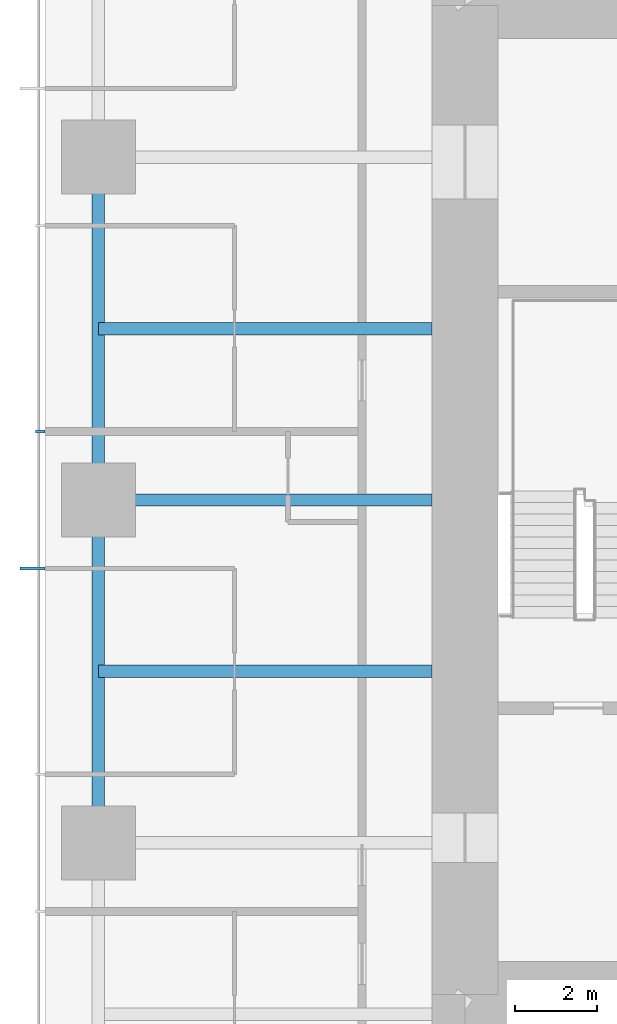
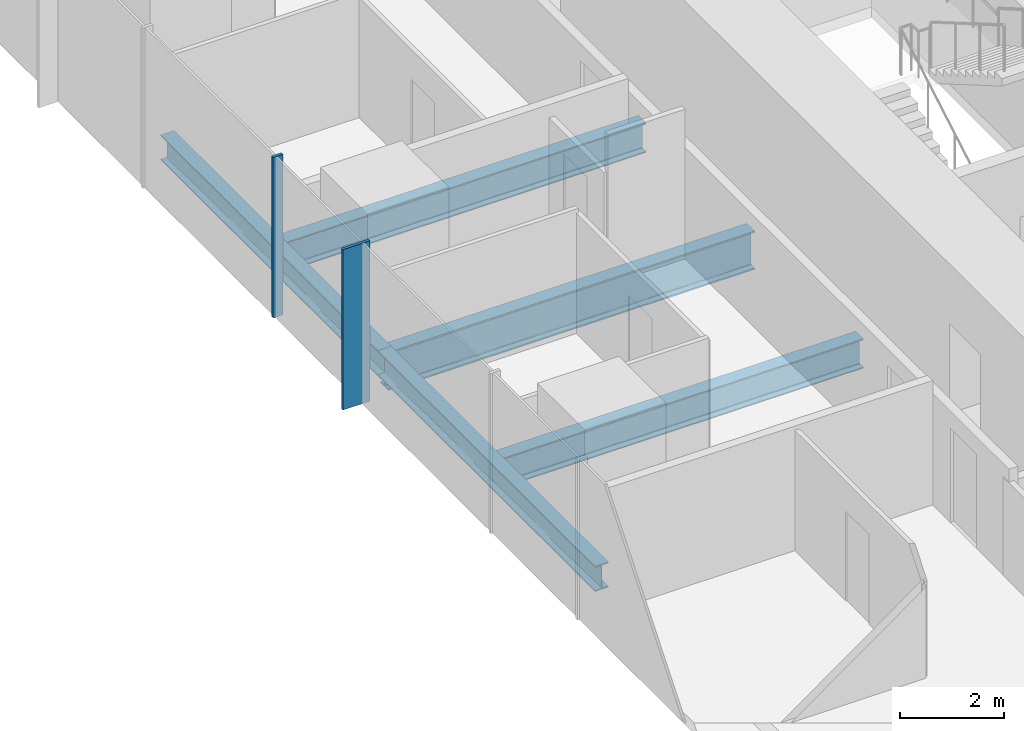
# One storey, part 3 of 13: 5 beams, 2 members, 1 element without a shape of its own.
"""IFC4 building model written with IfcOpenShell, lengths in metres."""

from ifc_helpers import new_model, si_unit, direction, frame, origin, origin_2d, place, context, subcontext, project, spatial, rectangle, i_section, extrude, material, material_profile, profile_set, type_object, element, aggregate, save


model = new_model("IFC4")

# Units and contexts
model_context = context("Model", 3, precision=1e-05, world=origin(), true_north=direction((0.0, 1.0)))
body_context = subcontext(model_context, "Body", "Model", "MODEL_VIEW")
ifc_project = project(units=[si_unit("LENGTHUNIT", "METRE"), si_unit("AREAUNIT", "SQUARE_METRE"), si_unit("VOLUMEUNIT", "CUBIC_METRE"), si_unit("PLANEANGLEUNIT", "RADIAN"), si_unit("MASSUNIT", "GRAM", prefix="KILO")], contexts=[model_context])

# Site, building, storey
site_placement = place(None, origin())
site = spatial("IfcSite", under=ifc_project, at=site_placement, CompositionType="ELEMENT")
building_placement = place(site_placement, origin())
building = spatial("IfcBuilding", under=site, at=building_placement, Name="Khuree Lantern Residences", CompositionType="ELEMENT")
storey_placement = place(building_placement, frame((0.0, 0.0, 248.25)))
storey = spatial("IfcBuildingStorey", under=building, at=storey_placement, Name="L62", CompositionType="ELEMENT", Elevation=248.25)

# Beams
ifc_material_1 = material(Name="Steel S355", Category="steel")
ifc_material_profile_1 = material_profile(ifc_material_1, i_section(OverallWidth=0.300048828125, OverallDepth=0.68994140625, WebThickness=0.014404296875, FlangeThickness=0.027099609375, FilletRadius=0.027099609375, at=origin_2d()), Name="HE 700 A")
ifc_profile_set_1 = profile_set([ifc_material_profile_1], Name="Steel S355")
beam_type_1 = type_object("IfcBeamType", Name="B-34 SECONDARY BEAM HE 700 A", PredefinedType="BEAM", material=ifc_profile_set_1)
for number, where, z_axis, x_axis, name in (
    (1, (-24.39990234375, -4.159912109375, -0.594970703125), (1.0, 0.0, 0.0), (0.0, 1.0, 0.0), "Secondary beam W3"),
    (2, (-24.39990234375, 4.159912109375, -0.594970703125), (1.0, 0.0, 0.0), (0.0, 1.0, 0.0), "Secondary beam W4"),
):
    element("IfcBeam", number, at=place(storey_placement, frame(where, z_axis=z_axis, x_axis=x_axis)), inside=storey, type_object=beam_type_1, Name=name, PredefinedType="BEAM", context=body_context, shape_type="SweptSolid", body=[
        extrude(i_section(OverallWidth=0.300048828125, OverallDepth=0.68994140625, WebThickness=0.014404296875, FlangeThickness=0.027099609375, FilletRadius=0.027099609375, at=origin_2d()), origin(), (0.0, 0.0, 1.0), 8.099853515625),
    ])
ifc_material_profile_2 = material_profile(ifc_material_1, i_section(OverallWidth=0.300048828125, OverallDepth=0.590087890625, WebThickness=0.012939453125, FlangeThickness=0.02490234375, FilletRadius=0.027099609375, at=origin_2d()), Name="HE 600 A")
ifc_profile_set_2 = profile_set([ifc_material_profile_2], Name="Steel S355")
beam_type_2 = type_object("IfcBeamType", Name="E-34 SPANDREL BEAM HE 600 A", PredefinedType="SPANDREL", material=ifc_profile_set_2)
for number, where, z_axis, x_axis, name in (
    (3, (-24.39990234375, -8.320068359375, -0.544921875), (0.0, 1.0, 0.0), (-1.0, 0.0, 0.0), "Spandrel beam W3"),
    (4, (-24.39990234375, 0.0, -0.544921875), (0.0, 1.0, 0.0), (-1.0, 0.0, 0.0), "Spandrel beam W4"),
):
    element("IfcBeam", number, at=place(storey_placement, frame(where, z_axis=z_axis, x_axis=x_axis)), inside=storey, type_object=beam_type_2, Name=name, PredefinedType="SPANDREL", context=body_context, shape_type="SweptSolid", body=[
        extrude(i_section(OverallWidth=0.300048828125, OverallDepth=0.590087890625, WebThickness=0.012939453125, FlangeThickness=0.02490234375, FilletRadius=0.027099609375, at=origin_2d()), origin(), (0.0, 0.0, 1.0), 8.320068359375),
    ])

# Curtain wall, member
ifc_material_2 = material(Name="Bronze anodised aluminium", Category="aluminium")
curtain_wall_type = type_object("IfcCurtainWallType", Name="CW-T1 TOWER FACE CURTAIN WALL", PredefinedType="USERDEFINED", material=ifc_material_2)
curtain_wall_placement = place(storey_placement, origin())
curtain_wall = element("IfcCurtainWall", 5, at=curtain_wall_placement, inside=storey, type_object=curtain_wall_type, Name="L62 WEST FACE CURTAIN WALL", ObjectType="Stick-built curtain wall", PredefinedType="USERDEFINED")
ifc_material_profile_3 = material_profile(ifc_material_2, rectangle(XDim=0.06494140625, YDim=0.60009765625, at=origin_2d()), Name="F1 65X600")
ifc_profile_set_3 = profile_set([ifc_material_profile_3], Name="Bronze anodised aluminium")
member_type_1 = type_object("IfcMemberType", Name="F1 BRONZE FIN MULLION TOWER 65X600", PredefinedType="MULLION", material=ifc_profile_set_3)
member_1_placement = place(storey_placement, frame((-26.0, -1.6640625, 0.0), z_axis=(0.0, 0.0, 1.0), x_axis=(0.0, -1.0, 0.0)))
member_1 = element("IfcMember", 6, at=member_1_placement, type_object=member_type_1, Name="L62 WEST FACE FIN MULLION 38", PredefinedType="MULLION", context=body_context, shape_type="SweptSolid", body=[
    extrude(rectangle(XDim=0.06494140625, YDim=0.60009765625, at=origin_2d()), origin(), (0.0, 0.0, 1.0), 3.75),
])

# Beam
ifc_material_profile_4 = material_profile(ifc_material_1, i_section(OverallWidth=0.300048828125, OverallDepth=0.89990234375, WebThickness=0.0185546875, FlangeThickness=0.034912109375, FilletRadius=0.030029296875, at=origin_2d()), Name="HE 900 B")
ifc_profile_set_4 = profile_set([ifc_material_profile_4], Name="Steel S355")
beam_type_3 = type_object("IfcBeamType", Name="G-34 GIRDER HE 900 B", PredefinedType="BEAM", material=ifc_profile_set_4)
beam_placement = place(storey_placement, frame((-24.39990234375, 0.0, -0.699951171875), z_axis=(1.0, 0.0, 0.0), x_axis=(0.0, 1.0, 0.0)))
element("IfcBeam", 7, at=beam_placement, inside=storey, type_object=beam_type_3, Name="Girder W3", PredefinedType="BEAM", context=body_context, shape_type="SweptSolid", body=[
    extrude(i_section(OverallWidth=0.300048828125, OverallDepth=0.89990234375, WebThickness=0.0185546875, FlangeThickness=0.034912109375, FilletRadius=0.030029296875, at=origin_2d()), origin(), (0.0, 0.0, 1.0), 8.099853515625),
])

# Member
ifc_material_profile_5 = material_profile(ifc_material_2, rectangle(XDim=0.06494140625, YDim=0.219970703125, at=origin_2d()), Name="M1 65X220")
ifc_profile_set_5 = profile_set([ifc_material_profile_5], Name="Bronze anodised aluminium")
member_type_2 = type_object("IfcMemberType", Name="M1 BRONZE MULLION TOWER 65X220", PredefinedType="MULLION", material=ifc_profile_set_5)
member_2_placement = place(storey_placement, frame((-25.81005859375, 1.6640625, 0.0), z_axis=(0.0, 0.0, 1.0), x_axis=(0.0, -1.0, 0.0)))
member_2 = element("IfcMember", 8, at=member_2_placement, type_object=member_type_2, Name="L62 WEST FACE MULLION 37", PredefinedType="MULLION", context=body_context, shape_type="SweptSolid", body=[
    extrude(rectangle(XDim=0.06494140625, YDim=0.219970703125, at=origin_2d()), origin(), (0.0, 0.0, 1.0), 3.75),
])

aggregate(curtain_wall, [member_2, member_1])

save(model, "model.ifc")
